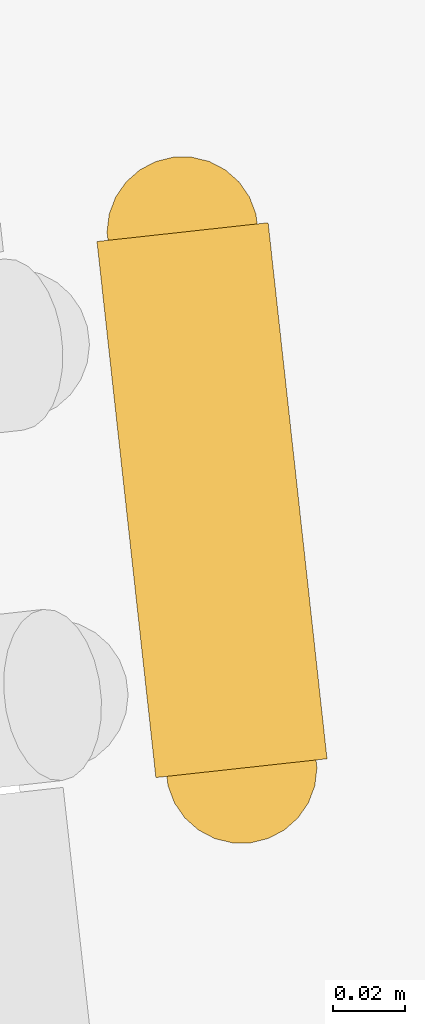
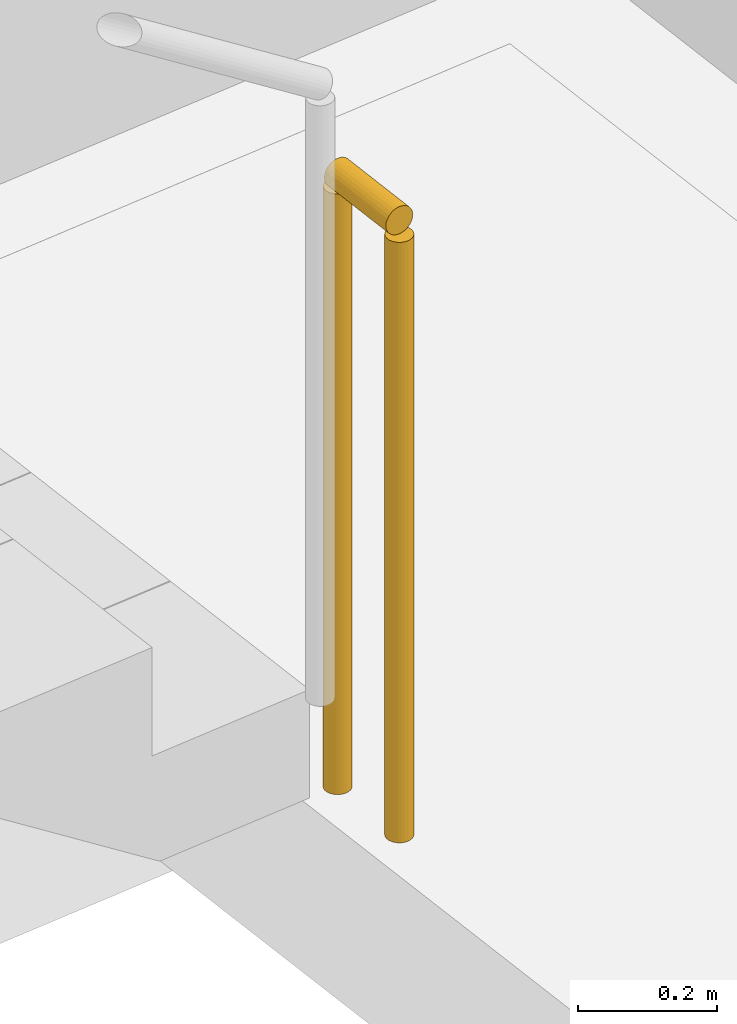
# One storey, part 18 of 20: 1 railing.
"""IFC4 building model written with IfcOpenShell, lengths in metres."""

import ifcopenshell
import ifcopenshell.guid

model = None  # the IFC model being written
_history = None  # IfcOwnerHistory: only IFC2X3 demands one
_inside = {}  # id of a spatial element -> (the spatial element, [elements in it])
_under = {}  # id of a project, library or spatial element -> (it, [spatial elements below it])
_declared = {}  # id of a project -> (the project, [libraries it declares])
_typed = {}  # id of a type object -> (the type object, [elements of that type])
_made_of = {}  # id of a material, layer set ... -> (it, [elements and type objects made of it])


def new_model(schema):
    """Start an empty IFC model of exactly this schema.

    Asked for "IFC4X3", IfcOpenShell would pick the latest addendum, in which some entities
    have other attributes; the version numbers below select the first issue.
    IFC2X3 requires an IfcOwnerHistory on every rooted entity: one is made here for all.
    """
    global model, _history
    if schema == "IFC4X3":
        model = ifcopenshell.file(schema_version=(4, 3, 0, 0))
    else:
        model = ifcopenshell.file(schema=schema)
    _inside.clear()
    _under.clear()
    _declared.clear()
    _typed.clear()
    _made_of.clear()
    _history = None
    if model.schema == "IFC2X3":
        org = make("IfcOrganization", Name="unknown")
        user = make(
            "IfcPersonAndOrganization",
            ThePerson=make("IfcPerson", FamilyName="unknown"),
            TheOrganization=org,
        )
        app = make(
            "IfcApplication",
            ApplicationDeveloper=org,
            Version="unknown",
            ApplicationFullName="unknown",
            ApplicationIdentifier="unknown",
        )
        _history = make(
            "IfcOwnerHistory",
            OwningUser=user,
            OwningApplication=app,
            ChangeAction="ADDED",
            CreationDate=0,
        )
    return model


def make(cls, **values):
    """One entity of the class cls with the attributes given. An attribute that is None is left unset."""
    return model.create_entity(
        cls, **{name: value for name, value in values.items() if value is not None}
    )


def rooted(cls, **values):
    """An entity with a GlobalId (a new one), such as an element, a storey or a relation."""
    return make(cls, GlobalId=ifcopenshell.guid.new(), OwnerHistory=_history, **values)


def si_unit(unit_type, name, prefix=None):
    """IfcSIUnit, for example si_unit("LENGTHUNIT", "METRE", prefix="MILLI")."""
    return make("IfcSIUnit", UnitType=unit_type, Prefix=prefix, Name=name)


def assignment(units):
    """IfcUnitAssignment: the units of a project."""
    return None if units is None else make("IfcUnitAssignment", Units=units)


def point(xyz):
    """IfcCartesianPoint."""
    return None if xyz is None else make("IfcCartesianPoint", Coordinates=xyz)


def direction(xyz):
    """IfcDirection."""
    return None if xyz is None else make("IfcDirection", DirectionRatios=xyz)


def frame(location, z_axis=None, x_axis=None):
    """IfcAxis2Placement3D, a coordinate frame: its origin and axes. An axis left out is left unset."""
    return make(
        "IfcAxis2Placement3D",
        Location=point(location),
        Axis=direction(z_axis),
        RefDirection=direction(x_axis),
    )


def frame_2d(location, x_axis=None):
    """IfcAxis2Placement2D, a coordinate frame in the plane: its origin and x axis."""
    return make(
        "IfcAxis2Placement2D", Location=point(location), RefDirection=direction(x_axis)
    )


def origin():
    """The frame at (0, 0, 0) with its axes left unset."""
    return frame((0.0, 0.0, 0.0))


def origin_2d():
    """The frame at (0, 0) in the plane with its x axis left unset."""
    return frame_2d((0.0, 0.0))


def place(relative_to, where):
    """IfcLocalPlacement: puts the frame where relative to a parent placement (None: the world)."""
    return make(
        "IfcLocalPlacement", PlacementRelTo=relative_to, RelativePlacement=where
    )


def context(
    kind, dimensions, precision=None, world=None, true_north=None, identifier=None
):
    """IfcGeometricRepresentationContext, for example the 3D "Model" context."""
    return make(
        "IfcGeometricRepresentationContext",
        ContextIdentifier=identifier,
        ContextType=kind,
        CoordinateSpaceDimension=dimensions,
        Precision=precision,
        WorldCoordinateSystem=world,
        TrueNorth=true_north,
    )


def subcontext(parent, identifier, kind, view, scale=None):
    """IfcGeometricRepresentationSubContext, for example "Body" below "Model"."""
    return make(
        "IfcGeometricRepresentationSubContext",
        ContextIdentifier=identifier,
        ContextType=kind,
        ParentContext=parent,
        TargetScale=scale,
        TargetView=view,
    )


def project(units=None, contexts=None):
    """IfcProject with its units and contexts."""
    return rooted(
        "IfcProject",
        Name="project",
        RepresentationContexts=contexts,
        UnitsInContext=assignment(units),
    )


def spatial(cls, under=None, at=None, **own):
    """A site, building, storey or space (cls), placed at a placement, below another one or the project."""
    s = rooted(cls, ObjectPlacement=at, **own)
    if under is not None:
        _under.setdefault(under.id(), (under, []))[1].append(s)
    return s


def profile(cls, at=None, kind="AREA", **sizes):
    """A parametric profile (cls). Its sizes go by their IFC names, for example OverallWidth=200.0."""
    return make(cls, ProfileType=kind, Position=at, **sizes)


def circle(**sizes):
    """IfcCircleProfileDef."""
    return profile("IfcCircleProfileDef", **sizes)


def extrude(swept, where, along, depth):
    """IfcExtrudedAreaSolid: the profile swept, set in the frame where, extruded along a direction by depth."""
    return make(
        "IfcExtrudedAreaSolid",
        SweptArea=swept,
        Position=where,
        ExtrudedDirection=direction(along),
        Depth=depth,
    )


def shape(context_of_items, identifier, shape_type, items):
    """IfcShapeRepresentation: the items that make up one representation, for example the "Body"."""
    return make(
        "IfcShapeRepresentation",
        ContextOfItems=context_of_items,
        RepresentationIdentifier=identifier,
        RepresentationType=shape_type,
        Items=items,
    )


def material(Name=None, Category=None):
    """IfcMaterial."""
    return make("IfcMaterial", Name=Name, Category=Category)


def made_of(thing, what):
    """Note that an element or type object is made of a material, layer set ...; save() writes the relation."""
    if what is not None:
        _made_of.setdefault(what.id(), (what, []))[1].append(thing)
    return thing


def type_object(cls, material=None, **own):
    """A type object (cls), such as IfcWallType, which elements share."""
    return made_of(rooted(cls, **own), material)


def element(
    cls,
    number,
    at=None,
    inside=None,
    cuts=None,
    type_object=None,
    material=None,
    context=None,
    identifier="Body",
    shape_type=None,
    held_by="IfcProductDefinitionShape",
    body=None,
    shapes=None,
    **own,
):
    """One element of the class cls, such as IfcWall. Its Tag is "e" and its number.

    at: its placement. inside: the storey or other place that contains it. cuts: it is an
    opening in that element (IfcRelVoidsElement). A single representation is given by context,
    identifier, shape_type and body (its items); several are given by shapes. held_by: the class
    of the entity that holds the representations. save() writes the other relations.
    """
    e = rooted(cls, Tag="e%d" % number, ObjectPlacement=at, **own)
    if body is not None:
        shapes = [shape(context, identifier, shape_type, body)]
    if shapes is not None:
        e.Representation = make(held_by, Representations=shapes)
    if inside is not None:
        _inside.setdefault(inside.id(), (inside, []))[1].append(e)
    if cuts is not None:
        rooted(
            "IfcRelVoidsElement", RelatingBuildingElement=cuts, RelatedOpeningElement=e
        )
    if type_object is not None:
        _typed.setdefault(type_object.id(), (type_object, []))[1].append(e)
    return made_of(e, material)


def aggregate(whole, parts):
    """IfcRelAggregates: a whole, such as a stair, and the parts it consists of."""
    return rooted("IfcRelAggregates", RelatingObject=whole, RelatedObjects=parts)


def save(model, path):
    """Write the relations noted so far, then the file.

    IfcRelAggregates (storeys below a building ...), IfcRelContainedInSpatialStructure (elements
    in a storey), IfcRelDefinesByType, IfcRelAssociatesMaterial and IfcRelDeclares: one each for
    every whole, place, type object, material and project.
    """
    for whole, parts in _under.values():
        aggregate(whole, parts)
    for where, things in _inside.values():
        rooted(
            "IfcRelContainedInSpatialStructure",
            RelatedElements=things,
            RelatingStructure=where,
        )
    for kind, things in _typed.values():
        rooted("IfcRelDefinesByType", RelatedObjects=things, RelatingType=kind)
    for what, things in _made_of.values():
        rooted("IfcRelAssociatesMaterial", RelatedObjects=things, RelatingMaterial=what)
    for by, libraries in _declared.values():
        rooted("IfcRelDeclares", RelatingContext=by, RelatedDefinitions=libraries)
    model.write(path)


model = new_model("IFC4")

# Units and contexts
model_context = context("Model", 3, precision=1e-05, world=origin(), true_north=direction((0.0, 1.0)))
body_context = subcontext(model_context, "Body", "Model", "MODEL_VIEW")
ifc_project = project(units=[si_unit("LENGTHUNIT", "METRE"), si_unit("AREAUNIT", "SQUARE_METRE"), si_unit("VOLUMEUNIT", "CUBIC_METRE"), si_unit("PLANEANGLEUNIT", "RADIAN"), si_unit("MASSUNIT", "GRAM", prefix="KILO")], contexts=[model_context])

# Site, building, storey
site_placement = place(None, origin())
site = spatial("IfcSite", under=ifc_project, at=site_placement, CompositionType="ELEMENT")
building_placement = place(site_placement, origin())
building = spatial("IfcBuilding", under=site, at=building_placement, Name="Cantera Rosa Tower", CompositionType="ELEMENT")
storey_placement = place(building_placement, frame((0.0, 0.0, 42.5)))
storey = spatial("IfcBuildingStorey", under=building, at=storey_placement, Name="L07", CompositionType="ELEMENT", Elevation=42.5)

# Railing
ifc_material = material(Name="Steel S355J2 (EN 10025-2)", Category="steel")
railing_type = type_object("IfcRailingType", Name="STAIR GUARD 1100", PredefinedType="GUARDRAIL", material=ifc_material)
railing_placement = place(storey_placement, frame((14.032958984375, 12.234375, 0.0)))
element("IfcRailing", 1, at=railing_placement, inside=storey, type_object=railing_type, Name="L07 ST-11 stair guard 3", PredefinedType="GUARDRAIL", context=body_context, shape_type="SweptSolid", body=[
    extrude(circle(Radius=0.02392578125, at=origin_2d()), frame((0.0, 0.0, 1.076171875), z_axis=(0.109179471459, -0.994022053584, 0.0), x_axis=(0.994022053584, 0.109179471459, 0.0)), (0.0, 0.0, 1.0), 0.14990234375),
    extrude(circle(Radius=0.02099609375, at=origin_2d()), origin(), (0.0, 0.0, 1.0), 1.052001953125),
    extrude(circle(Radius=0.02099609375, at=origin_2d()), frame((0.016357421875, -0.14892578125, 0.0)), (0.0, 0.0, 1.0), 1.052001953125),
])

save(model, "model.ifc")
